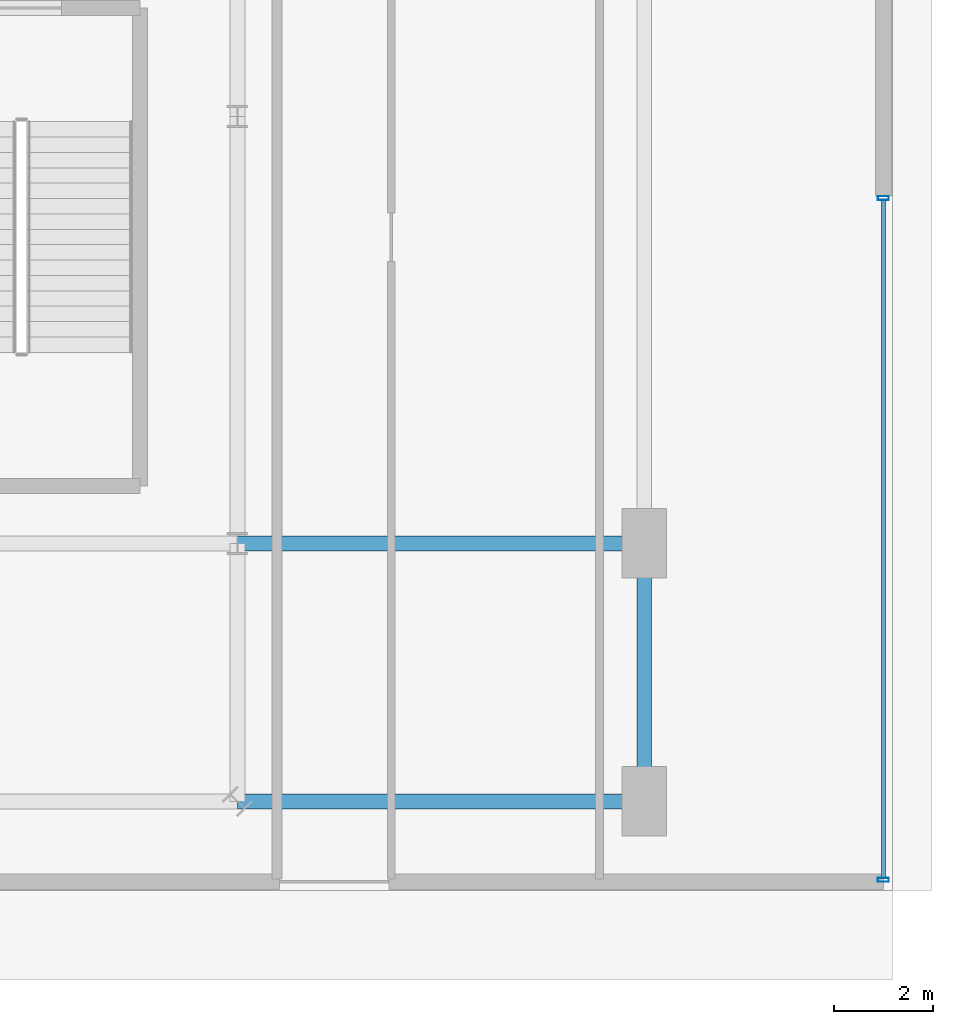
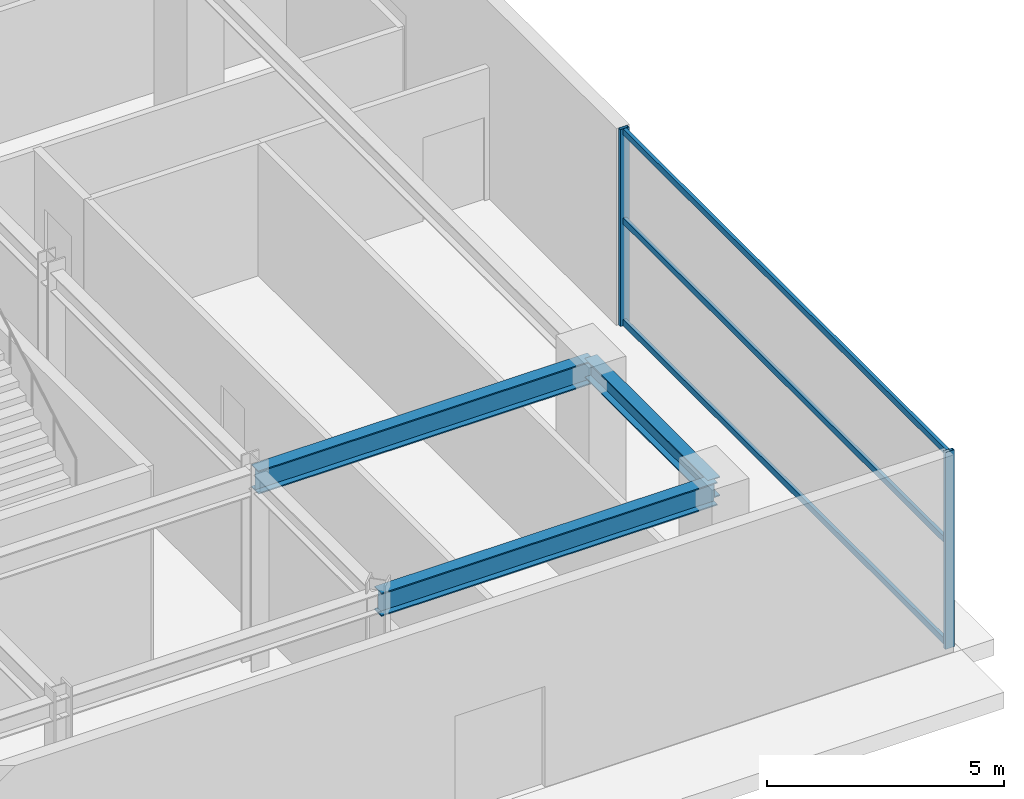
# One storey, part 18 of 29: 5 members, 3 beams, 1 element without a shape of its own.
"""IFC4 building model written with IfcOpenShell, lengths in metres."""

from ifc_helpers import new_model, si_unit, direction, frame, origin, origin_2d, place, context, subcontext, project, spatial, hollow_rectangle, i_section, extrude, source, transform, mapped, material, material_profile, profile_set, type_object, element, aggregate, save


model = new_model("IFC4")

# Units and contexts
model_context = context("Model", 3, precision=1e-05, world=origin(), true_north=direction((0.0, 1.0)))
body_context = subcontext(model_context, "Body", "Model", "MODEL_VIEW")
ifc_project = project(units=[si_unit("LENGTHUNIT", "METRE"), si_unit("AREAUNIT", "SQUARE_METRE"), si_unit("VOLUMEUNIT", "CUBIC_METRE"), si_unit("PLANEANGLEUNIT", "RADIAN"), si_unit("MASSUNIT", "GRAM", prefix="KILO")], contexts=[model_context])

# Site, building, storey
site_placement = place(None, origin())
site = spatial("IfcSite", under=ifc_project, at=site_placement, CompositionType="ELEMENT")
building_placement = place(site_placement, origin())
building = spatial("IfcBuilding", under=site, at=building_placement, Name="Nahalor Promenade Grand Hotel", CompositionType="ELEMENT")
storey_placement = place(building_placement, origin())
storey = spatial("IfcBuildingStorey", under=building, at=storey_placement, Name="L00", CompositionType="ELEMENT", Elevation=0.0)

# Beams
ifc_material_1 = material(Name="Steel S355JR", Category="steel")
ifc_material_profile_1 = material_profile(ifc_material_1, i_section(OverallWidth=0.3, OverallDepth=0.6, WebThickness=0.0155, FlangeThickness=0.03, at=origin_2d()), Name="HEB 600")
ifc_profile_set_1 = profile_set([ifc_material_profile_1], Name="Steel S355JR")
beam_type_1 = type_object("IfcBeamType", Name="Beam-Girder-HEB600", PredefinedType="BEAM", material=ifc_profile_set_1)
shared_shape_1 = source(origin(), body_context, "Body", "SweptSolid", [
    extrude(i_section(OverallWidth=0.3, OverallDepth=0.6, WebThickness=0.0155, FlangeThickness=0.03, at=origin_2d()), origin(), (0.0, 0.0, 1.0), 8.199951171875),
])
for number, where, z_axis, x_axis, name in (
    (1, (24.800048828125, -17.0, 4.780029296875), (1.0, 0.0, 0.0), (0.0, 1.0, 0.0), "BM-L00-GX-0-8"),
    (2, (24.800048828125, -22.199951171875, 4.780029296875), (1.0, 0.0, 0.0), (0.0, 1.0, 0.0), "BM-L00-TIE-PE--22"),
):
    element("IfcBeam", number, at=place(storey_placement, frame(where, z_axis=z_axis, x_axis=x_axis)), inside=storey, type_object=beam_type_1, Name=name, PredefinedType="BEAM", context=body_context, shape_type="MappedRepresentation", body=[
        mapped(shared_shape_1, transform((0.0, 0.0, 0.0), scale=1.0)),
    ])
ifc_material_profile_2 = material_profile(ifc_material_1, i_section(OverallWidth=0.3, OverallDepth=0.5, WebThickness=0.0145, FlangeThickness=0.028, at=origin_2d()), Name="HEB 500")
ifc_profile_set_2 = profile_set([ifc_material_profile_2], Name="Steel S355JR")
beam_type_2 = type_object("IfcBeamType", Name="Beam-Spandrel-HEB500", PredefinedType="SPANDREL", material=ifc_profile_set_2)
shared_shape_2 = source(origin(), body_context, "Body", "SweptSolid", [
    extrude(i_section(OverallWidth=0.3, OverallDepth=0.5, WebThickness=0.0145, FlangeThickness=0.028, at=origin_2d()), origin(), (0.0, 0.0, 1.0), 5.199951171875),
])
beam_placement = place(storey_placement, frame((33.0, -22.199951171875, 4.830078125), z_axis=(0.0, 1.0, 0.0), x_axis=(-1.0, 0.0, 0.0)))
element("IfcBeam", 3, at=beam_placement, inside=storey, type_object=beam_type_2, Name="BM-L00-PE-0", PredefinedType="SPANDREL", context=body_context, shape_type="MappedRepresentation", body=[
    mapped(shared_shape_2, transform((0.0, 0.0, 0.0), scale=1.0)),
])

# Curtain wall, members
ifc_material_2 = material(Name="Anodised Bronze Aluminium EN AW-6063 T6", Category="aluminium")
curtain_wall_type = type_object("IfcCurtainWallType", Name="CW1 Waterfront Podium Bronze Arcade Curtain Wall", PredefinedType="USERDEFINED", material=ifc_material_2)
curtain_wall_placement = place(storey_placement, origin())
curtain_wall = element("IfcCurtainWall", 4, at=curtain_wall_placement, inside=storey, type_object=curtain_wall_type, Name="L00 Curtain Wall CW-L00-E-S", ObjectType="UNITISED_CURTAIN_WALL", PredefinedType="USERDEFINED")
ifc_material_profile_3 = material_profile(ifc_material_2, hollow_rectangle(XDim=0.08, YDim=0.22, WallThickness=0.005, at=origin_2d()), Name="CWM 80x220x5")
ifc_profile_set_3 = profile_set([ifc_material_profile_3], Name="Anodised Bronze Aluminium EN AW-6063 T6")
member_type_1 = type_object("IfcMemberType", Name="CWM1 Podium Bronze Mullion 80x220", PredefinedType="MULLION", material=ifc_profile_set_3)
shared_shape_3 = source(origin(), body_context, "Body", "SweptSolid", [
    extrude(hollow_rectangle(XDim=0.08, YDim=0.22, WallThickness=0.005, at=origin_2d()), origin(), (0.0, 0.0, 1.0), 5.080078125),
])
member_1_placement = place(storey_placement, frame((37.820068359375, -23.780029296875, 0.0), z_axis=(0.0, 0.0, 1.0), x_axis=(0.0, 1.0, 0.0)))
member_1 = element("IfcMember", 5, at=member_1_placement, type_object=member_type_1, Name="CW-L00-E-S Mullion 0", PredefinedType="MULLION", context=body_context, shape_type="MappedRepresentation", body=[
    mapped(shared_shape_3, transform((0.0, 0.0, 0.0), scale=1.0)),
])
member_2_placement = place(storey_placement, frame((37.820068359375, -10.0400390625, 0.0), z_axis=(0.0, 0.0, 1.0), x_axis=(0.0, 1.0, 0.0)))
member_2 = element("IfcMember", 6, at=member_2_placement, type_object=member_type_1, Name="CW-L00-E-S Mullion 1", PredefinedType="MULLION", context=body_context, shape_type="MappedRepresentation", body=[
    mapped(shared_shape_3, transform((0.0, 0.0, 0.0), scale=1.0)),
])
ifc_material_profile_4 = material_profile(ifc_material_2, hollow_rectangle(XDim=0.08, YDim=0.16, WallThickness=0.004, at=origin_2d()), Name="CWT 80x160x4")
ifc_profile_set_4 = profile_set([ifc_material_profile_4], Name="Anodised Bronze Aluminium EN AW-6063 T6")
member_type_2 = type_object("IfcMemberType", Name="CWT1 Podium Bronze Transom 80x160", PredefinedType="USERDEFINED", material=ifc_profile_set_4)
shared_shape_4 = source(origin(), body_context, "Body", "SweptSolid", [
    extrude(hollow_rectangle(XDim=0.08, YDim=0.16, WallThickness=0.004, at=origin_2d()), origin(), (0.0, 0.0, 1.0), 13.659912109375),
])
member_3_placement = place(storey_placement, frame((37.820068359375, -23.739990234375, 0.080078125), z_axis=(0.0, 1.0, 0.0), x_axis=(-1.0, 0.0, 0.0)))
member_3 = element("IfcMember", 7, at=member_3_placement, type_object=member_type_2, Name="CW-L00-E-S Transom 0-0", ObjectType="TRANSOM", PredefinedType="USERDEFINED", context=body_context, shape_type="MappedRepresentation", body=[
    mapped(shared_shape_4, transform((0.0, 0.0, 0.0), scale=1.0)),
])
member_4_placement = place(storey_placement, frame((37.820068359375, -23.739990234375, 2.699951171875), z_axis=(0.0, 1.0, 0.0), x_axis=(-1.0, 0.0, 0.0)))
member_4 = element("IfcMember", 8, at=member_4_placement, type_object=member_type_2, Name="CW-L00-E-S Transom 0-1", ObjectType="TRANSOM", PredefinedType="USERDEFINED", context=body_context, shape_type="MappedRepresentation", body=[
    mapped(shared_shape_4, transform((0.0, 0.0, 0.0), scale=1.0)),
])
member_5_placement = place(storey_placement, frame((37.820068359375, -23.739990234375, 5.0), z_axis=(0.0, 1.0, 0.0), x_axis=(-1.0, 0.0, 0.0)))
member_5 = element("IfcMember", 9, at=member_5_placement, type_object=member_type_2, Name="CW-L00-E-S Transom 0-2", ObjectType="TRANSOM", PredefinedType="USERDEFINED", context=body_context, shape_type="MappedRepresentation", body=[
    mapped(shared_shape_4, transform((0.0, 0.0, 0.0), scale=1.0)),
])
aggregate(curtain_wall, [member_1, member_2, member_3, member_4, member_5])

save(model, "model.ifc")
